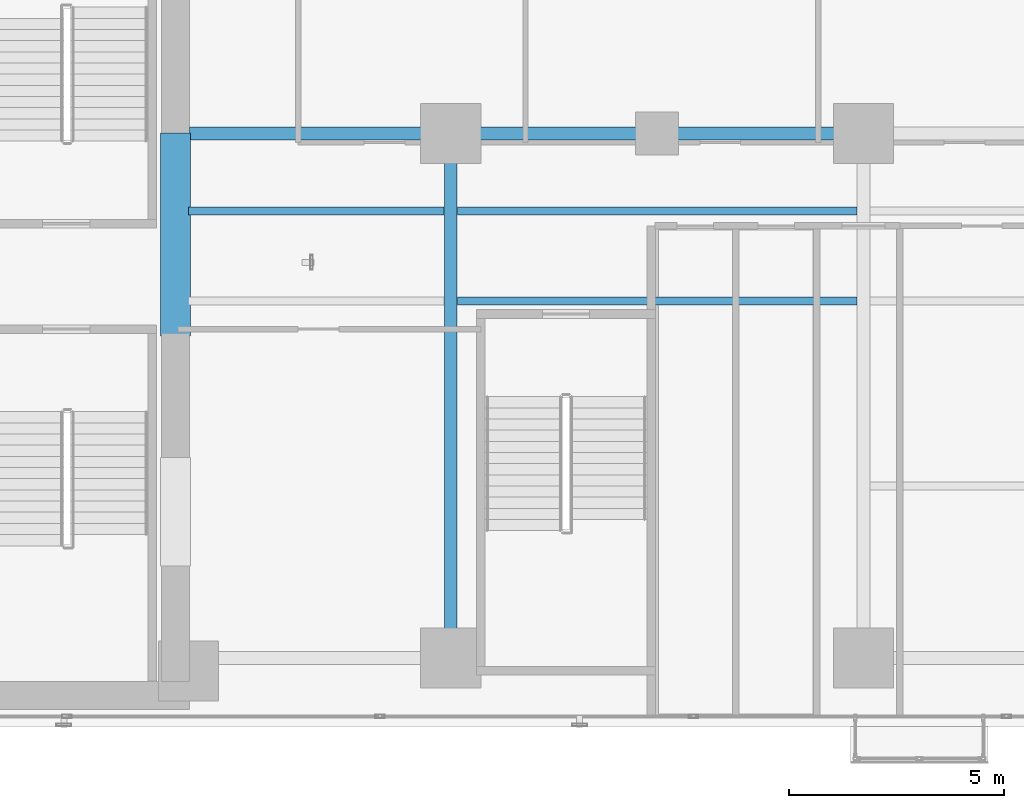
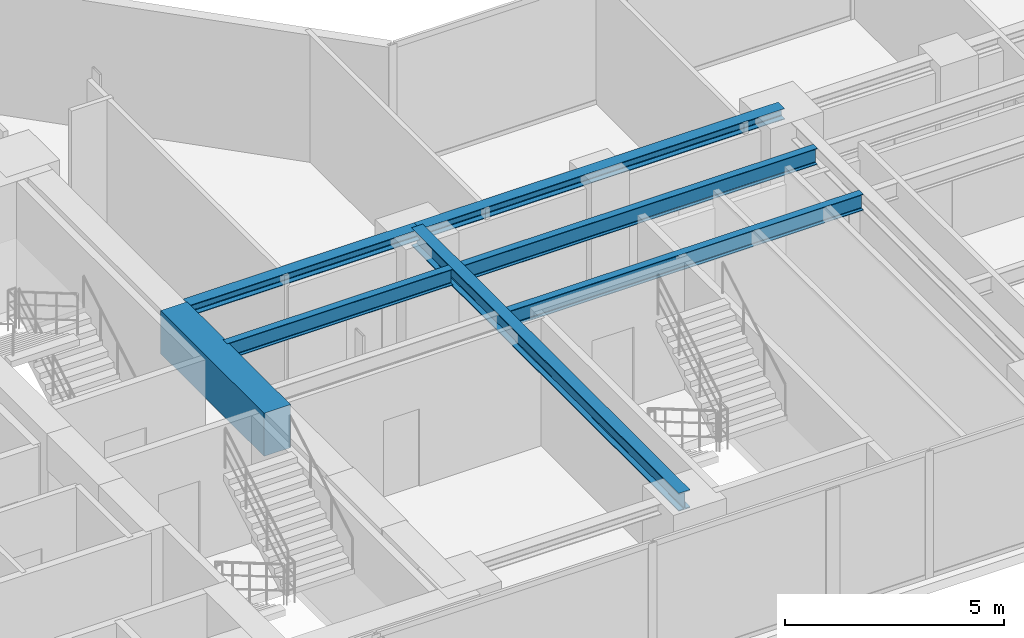
# One storey, part 5 of 27: 7 beams.
"""IFC4 building model written with IfcOpenShell, lengths in metres."""

from ifc_helpers import new_model, si_unit, direction, frame, origin, origin_2d, place, context, subcontext, project, spatial, rectangle, i_section, extrude, material, material_profile, profile_set, type_object, element, save


model = new_model("IFC4")

# Units and contexts
model_context = context("Model", 3, precision=1e-05, world=origin(), true_north=direction((0.0, 1.0)))
body_context = subcontext(model_context, "Body", "Model", "MODEL_VIEW")
ifc_project = project(units=[si_unit("LENGTHUNIT", "METRE"), si_unit("AREAUNIT", "SQUARE_METRE"), si_unit("VOLUMEUNIT", "CUBIC_METRE"), si_unit("PLANEANGLEUNIT", "RADIAN"), si_unit("MASSUNIT", "GRAM", prefix="KILO")], contexts=[model_context])

# Site, building, storey
site_placement = place(None, origin())
site = spatial("IfcSite", under=ifc_project, at=site_placement, CompositionType="ELEMENT")
building_placement = place(site_placement, origin())
building = spatial("IfcBuilding", under=site, at=building_placement, Name="Kolvaren Waterfront Exchange", CompositionType="ELEMENT")
storey_placement = place(building_placement, frame((0.0, 0.0, 118.300048828125)))
storey = spatial("IfcBuildingStorey", under=building, at=storey_placement, Name="L30", CompositionType="ELEMENT", Elevation=118.300048828125)

# Beams
ifc_material_1 = material(Name="Steel S355", Category="steel")
ifc_material_profile_1 = material_profile(ifc_material_1, i_section(OverallWidth=0.300048828125, OverallDepth=0.300048828125, WebThickness=0.010986328125, FlangeThickness=0.01904296875, FilletRadius=0.027099609375, at=origin_2d()), Name="HEB300")
ifc_profile_set_1 = profile_set([ifc_material_profile_1], Name="Steel S355")
beam_type_1 = type_object("IfcBeamType", Name="STR-BM-HEB300", PredefinedType="SPANDREL", material=ifc_profile_set_1)
beam_1_placement = place(storey_placement, frame((21.125, 17.39990234375, 3.389892578125), z_axis=(1.0, 0.0, 0.0), x_axis=(0.0, 1.0, 0.0)))
element("IfcBeam", 1, at=beam_1_placement, inside=storey, type_object=beam_type_1, Name="L30 east-arm spandrel N1", PredefinedType="SPANDREL", context=body_context, shape_type="SweptSolid", body=[
    extrude(i_section(OverallWidth=0.300048828125, OverallDepth=0.300048828125, WebThickness=0.010986328125, FlangeThickness=0.01904296875, FilletRadius=0.027099609375, at=origin_2d()), origin(), (0.0, 0.0, 1.0), 6.074951171875),
])
beam_2_placement = place(storey_placement, frame((27.199951171875, 17.39990234375, 3.389892578125), z_axis=(1.0, 0.0, 0.0), x_axis=(0.0, 1.0, 0.0)))
element("IfcBeam", 2, at=beam_2_placement, inside=storey, type_object=beam_type_1, Name="L30 east-arm spandrel N2", PredefinedType="SPANDREL", context=body_context, shape_type="SweptSolid", body=[
    extrude(i_section(OverallWidth=0.300048828125, OverallDepth=0.300048828125, WebThickness=0.010986328125, FlangeThickness=0.01904296875, FilletRadius=0.027099609375, at=origin_2d()), origin(), (0.0, 0.0, 1.0), 9.60009765625),
])
ifc_material_profile_2 = material_profile(ifc_material_1, i_section(OverallWidth=0.300048828125, OverallDepth=0.5, WebThickness=0.014404296875, FlangeThickness=0.028076171875, FilletRadius=0.027099609375, at=origin_2d()), Name="HEB500")
ifc_profile_set_2 = profile_set([ifc_material_profile_2], Name="Steel S355")
beam_type_2 = type_object("IfcBeamType", Name="STR-BM-HEB500", PredefinedType="BEAM", material=ifc_profile_set_2)
beam_3_placement = place(storey_placement, frame((27.199951171875, 5.199951171875, 3.2900390625), z_axis=(0.0, 1.0, 0.0), x_axis=(-1.0, 0.0, 0.0)))
element("IfcBeam", 3, at=beam_3_placement, inside=storey, type_object=beam_type_2, Name="L30 east-arm transverse girder X27", PredefinedType="BEAM", context=body_context, shape_type="SweptSolid", body=[
    extrude(i_section(OverallWidth=0.300048828125, OverallDepth=0.5, WebThickness=0.014404296875, FlangeThickness=0.028076171875, FilletRadius=0.027099609375, at=origin_2d()), origin(), (0.0, 0.0, 1.0), 12.199951171875),
])
ifc_material_profile_3 = material_profile(ifc_material_1, i_section(OverallWidth=0.18994140625, OverallDepth=0.449951171875, WebThickness=0.009521484375, FlangeThickness=0.0146484375, FilletRadius=0.02099609375, at=origin_2d()), Name="IPE450")
ifc_profile_set_3 = profile_set([ifc_material_profile_3], Name="Steel S355")
beam_type_3 = type_object("IfcBeamType", Name="STR-BM-IPE450", PredefinedType="JOIST", material=ifc_profile_set_3)
beam_4_placement = place(storey_placement, frame((21.10009765625, 15.60009765625, 3.31494140625), z_axis=(1.0, 0.0, 0.0), x_axis=(0.0, 1.0, 0.0)))
element("IfcBeam", 4, at=beam_4_placement, inside=storey, type_object=beam_type_3, Name="L30 east-arm composite joist 1C", PredefinedType="JOIST", context=body_context, shape_type="SweptSolid", body=[
    extrude(i_section(OverallWidth=0.18994140625, OverallDepth=0.449951171875, WebThickness=0.009521484375, FlangeThickness=0.0146484375, FilletRadius=0.02099609375, at=origin_2d()), origin(), (0.0, 0.0, 1.0), 5.947998046875),
])
for number, where, z_axis, x_axis, name in (
    (5, (27.35205078125, 13.5, 3.31494140625), (1.0, 0.0, 0.0), (0.0, 1.0, 0.0), "L30 east-arm composite joist 2A"),
    (6, (27.35205078125, 15.60009765625, 3.31494140625), (1.0, 0.0, 0.0), (0.0, 1.0, 0.0), "L30 east-arm composite joist 2C"),
):
    element("IfcBeam", number, at=place(storey_placement, frame(where, z_axis=z_axis, x_axis=x_axis)), inside=storey, type_object=beam_type_3, Name=name, PredefinedType="JOIST", context=body_context, shape_type="SweptSolid", body=[
        extrude(i_section(OverallWidth=0.18994140625, OverallDepth=0.449951171875, WebThickness=0.009521484375, FlangeThickness=0.0146484375, FilletRadius=0.02099609375, at=origin_2d()), origin(), (0.0, 0.0, 1.0), 9.2958984375),
    ])
ifc_material_2 = material(Name="Concrete C70/85", Category="concrete")
ifc_material_profile_4 = material_profile(ifc_material_2, rectangle(XDim=0.699951171875, YDim=1.199951171875, at=origin_2d()), Name="RC-CB-1200x700")
ifc_profile_set_4 = profile_set([ifc_material_profile_4], Name="Concrete C70/85")
beam_type_4 = type_object("IfcBeamType", Name="STR-CB-1200", PredefinedType="SPANDREL", material=ifc_profile_set_4)
beam_5_placement = place(storey_placement, frame((20.800048828125, 12.68994140625, 2.93994140625), z_axis=(0.0, 1.0, 0.0), x_axis=(-1.0, 0.0, 0.0)))
element("IfcBeam", 7, at=beam_5_placement, inside=storey, type_object=beam_type_4, Name="L30 core coupling beam 2", PredefinedType="SPANDREL", context=body_context, shape_type="SweptSolid", body=[
    extrude(rectangle(XDim=0.699951171875, YDim=1.199951171875, at=origin_2d()), origin(), (0.0, 0.0, 1.0), 4.719970703125),
])

save(model, "model.ifc")
